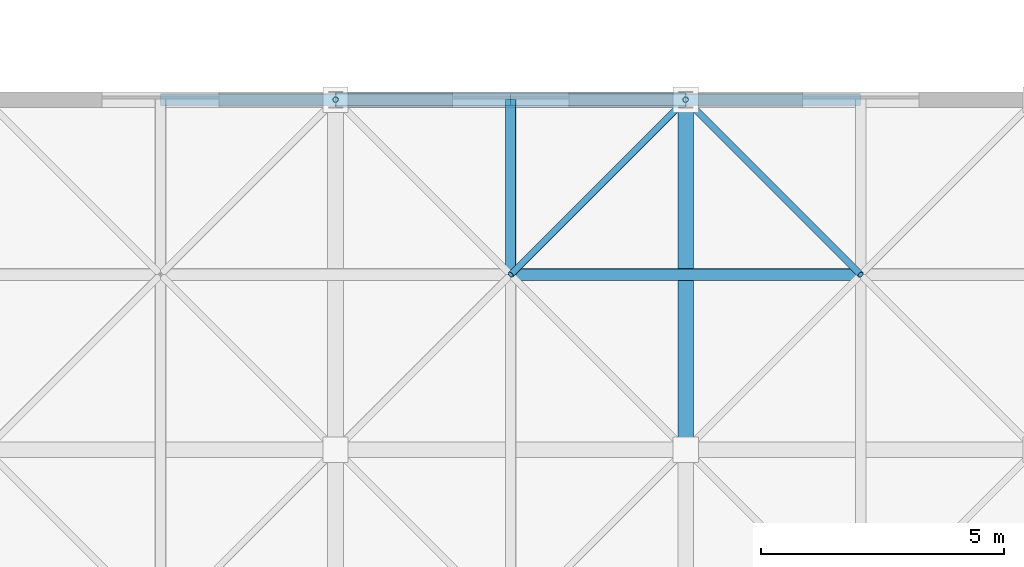
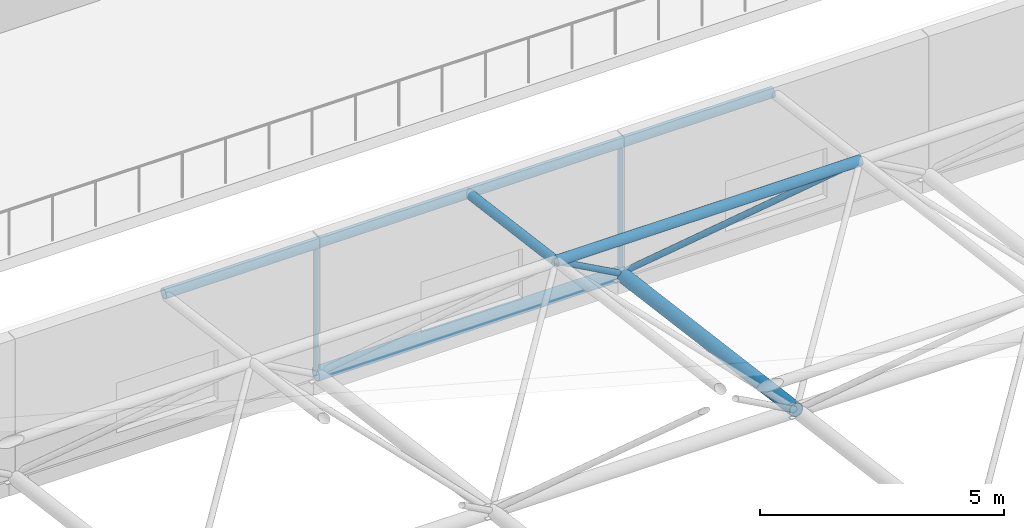
# One storey, part 59 of 103: 10 members.
"""IFC4 building model written with IfcOpenShell, lengths in metres."""

from ifc_helpers import new_model, si_unit, direction, frame, origin, origin_2d, place, context, subcontext, project, spatial, hollow_circle, extrude, material, material_profile, profile_set, type_object, element, save


model = new_model("IFC4")

# Units and contexts
model_context = context("Model", 3, precision=1e-05, world=origin(), true_north=direction((0.0, 1.0)))
body_context = subcontext(model_context, "Body", "Model", "MODEL_VIEW")
ifc_project = project(units=[si_unit("LENGTHUNIT", "METRE"), si_unit("AREAUNIT", "SQUARE_METRE"), si_unit("VOLUMEUNIT", "CUBIC_METRE"), si_unit("PLANEANGLEUNIT", "RADIAN"), si_unit("MASSUNIT", "GRAM", prefix="KILO")], contexts=[model_context])

# Site, building, storey
site_placement = place(None, origin())
site = spatial("IfcSite", under=ifc_project, at=site_placement, CompositionType="ELEMENT")
building_placement = place(site_placement, origin())
building = spatial("IfcBuilding", under=site, at=building_placement, Name="Thalmaran Polytechnic", CompositionType="ELEMENT")
storey_placement = place(building_placement, frame((0.0, 0.0, 14.39990234375)))
storey = spatial("IfcBuildingStorey", under=building, at=storey_placement, Name="L03", CompositionType="ELEMENT", Elevation=14.39990234375)

# Members
ifc_material = material(Name="Steel S355", Category="steel")
ifc_material_profile_1 = material_profile(ifc_material, hollow_circle(Radius=0.161865234375, WallThickness=0.012451171875, at=origin_2d()), Name="CHS 323.9x12.5")
ifc_profile_set_1 = profile_set([ifc_material_profile_1], Name="Steel S355")
member_type_1 = type_object("IfcMemberType", Name="MB-SFC0", PredefinedType="CHORD", material=ifc_profile_set_1)
member_1_placement = place(storey_placement, frame((144.0, 50.39990234375, 0.380126953125), z_axis=(1.0, 0.0, 0.0), x_axis=(0.0, 1.0, 0.0)))
element("IfcMember", 1, at=member_1_placement, inside=storey, type_object=member_type_1, Name="Space-Frame Bottom Chord X (5,8)", PredefinedType="CHORD", context=body_context, shape_type="SweptSolid", body=[
    extrude(hollow_circle(Radius=0.161865234375, WallThickness=0.012451171875, at=origin_2d()), origin(), (0.0, 0.0, 1.0), 7.199951171875),
])
ifc_material_profile_2 = material_profile(ifc_material, hollow_circle(Radius=0.122314453125, WallThickness=0.010009765625, at=origin_2d()), Name="CHS 244.5x10.0")
ifc_profile_set_2 = profile_set([ifc_material_profile_2], Name="Steel S355")
member_type_2 = type_object("IfcMemberType", Name="MB-SFC1", PredefinedType="CHORD", material=ifc_profile_set_2)
member_2_placement = place(storey_placement, frame((140.39990234375, 50.39990234375, 3.650146484375), z_axis=(1.0, 0.0, 0.0), x_axis=(0.0, 1.0, 0.0)))
element("IfcMember", 2, at=member_2_placement, inside=storey, type_object=member_type_2, Name="Space-Frame Top Chord X (5,9)", PredefinedType="CHORD", context=body_context, shape_type="SweptSolid", body=[
    extrude(hollow_circle(Radius=0.122314453125, WallThickness=0.010009765625, at=origin_2d()), origin(), (0.0, 0.0, 1.0), 7.2001953125),
])
for number, where, z_axis, x_axis, name in (
    (3, (147.60009765625, 46.800048828125, 4.1240234375), (1.0, 0.0, 0.0), (0.0, 1.0, 0.0), "Space-Frame Top Chord X (6,8)"),
    (4, (147.60009765625, 50.39990234375, 3.650146484375), (1.0, 0.0, 0.0), (0.0, 1.0, 0.0), "Space-Frame Top Chord X (6,9)"),
):
    element("IfcMember", number, at=place(storey_placement, frame(where, z_axis=z_axis, x_axis=x_axis)), inside=storey, type_object=member_type_2, Name=name, PredefinedType="CHORD", context=body_context, shape_type="SweptSolid", body=[
        extrude(hollow_circle(Radius=0.122314453125, WallThickness=0.010009765625, at=origin_2d()), origin(), (0.0, 0.0, 1.0), 7.199951171875),
    ])
ifc_material_profile_3 = material_profile(ifc_material, hollow_circle(Radius=0.109619140625, WallThickness=0.010009765625, at=origin_2d()), Name="CHS 219.1x10.0")
ifc_profile_set_3 = profile_set([ifc_material_profile_3], Name="Steel S355")
member_type_3 = type_object("IfcMemberType", Name="MB-SFC2", PredefinedType="CHORD", material=ifc_profile_set_3)
member_3_placement = place(storey_placement, frame((147.60009765625, 46.800048828125, 4.1240234375), z_axis=(0.0, 0.99144674145, -0.130511910828), x_axis=(-1.0, 0.0, 0.0)))
element("IfcMember", 5, at=member_3_placement, inside=storey, type_object=member_type_3, Name="Space-Frame Top Chord Y (6,8)", PredefinedType="CHORD", context=body_context, shape_type="SweptSolid", body=[
    extrude(hollow_circle(Radius=0.109619140625, WallThickness=0.010009765625, at=origin_2d()), origin(), (0.0, 0.0, 1.0), 3.630859375),
])
ifc_material_profile_4 = material_profile(ifc_material, hollow_circle(Radius=0.161865234375, WallThickness=0.012451171875, at=origin_2d()), Name="CHS 323.9x12.5")
ifc_profile_set_4 = profile_set([ifc_material_profile_4], Name="Steel S355")
member_type_4 = type_object("IfcMemberType", Name="MB-SFC4", PredefinedType="CHORD", material=ifc_profile_set_4)
member_4_placement = place(storey_placement, frame((151.199951171875, 43.199951171875, 1.327880859375), z_axis=(0.0, 0.991447314079, -0.130507560722), x_axis=(-1.0, 0.0, 0.0)))
element("IfcMember", 6, at=member_4_placement, inside=storey, type_object=member_type_4, Name="Space-Frame Bottom Chord Y (6,7)", PredefinedType="CHORD", context=body_context, shape_type="SweptSolid", body=[
    extrude(hollow_circle(Radius=0.161865234375, WallThickness=0.012451171875, at=origin_2d()), origin(), (0.0, 0.0, 1.0), 7.261962890625),
])
ifc_material_profile_5 = material_profile(ifc_material, hollow_circle(Radius=0.06982421875, WallThickness=0.008056640625, at=origin_2d()), Name="CHS 139.7x8.0")
ifc_profile_set_5 = profile_set([ifc_material_profile_5], Name="Steel S355")
member_type_5 = type_object("IfcMemberType", Name="MB-SFD2", PredefinedType="BRACE", material=ifc_profile_set_5)
member_5_placement = place(storey_placement, frame((151.199951171875, 50.39990234375, 0.380126953125), z_axis=(-0.569652331509, -0.569652331509, 0.592446151488), x_axis=(0.707106781187, -0.707106781187, 0.0)))
element("IfcMember", 7, at=member_5_placement, inside=storey, type_object=member_type_5, Name="Space-Frame Web Diagonal (5,7)-4", PredefinedType="BRACE", context=body_context, shape_type="SweptSolid", body=[
    extrude(hollow_circle(Radius=0.06982421875, WallThickness=0.008056640625, at=origin_2d()), origin(), (0.0, 0.0, 1.0), 6.3193359375),
])
member_6_placement = place(storey_placement, frame((151.199951171875, 50.39990234375, 0.380126953125), z_axis=(0.569678427494, -0.569639794751, 0.592433113089), x_axis=(0.707082803744, 0.707130757816, 0.0)))
element("IfcMember", 8, at=member_6_placement, inside=storey, type_object=member_type_5, Name="Space-Frame Web Diagonal (6,7)-3", PredefinedType="BRACE", context=body_context, shape_type="SweptSolid", body=[
    extrude(hollow_circle(Radius=0.06982421875, WallThickness=0.008056640625, at=origin_2d()), origin(), (0.0, 0.0, 1.0), 6.319580078125),
])
ifc_material_profile_6 = material_profile(ifc_material, hollow_circle(Radius=0.05712890625, WallThickness=0.00634765625, at=origin_2d()), Name="CHS 114.3x6.3")
ifc_profile_set_6 = profile_set([ifc_material_profile_6], Name="Steel S355")
member_type_6 = type_object("IfcMemberType", Name="MB-SFD3", PredefinedType="BRACE", material=ifc_profile_set_6)
for number, where, z_axis, x_axis, name in (
    (9, (144.0, 50.39990234375, 0.380126953125), (0.0, 0.0, 1.0), (1.0, 0.0, 0.0), "Space-Frame Eave Post (5,8)"),
    (10, (151.199951171875, 50.39990234375, 0.380126953125), (0.0, 0.0, 1.0), (1.0, 0.0, 0.0), "Space-Frame Eave Post (6,8)"),
):
    element("IfcMember", number, at=place(storey_placement, frame(where, z_axis=z_axis, x_axis=x_axis)), inside=storey, type_object=member_type_6, Name=name, PredefinedType="BRACE", context=body_context, shape_type="SweptSolid", body=[
        extrude(hollow_circle(Radius=0.05712890625, WallThickness=0.00634765625, at=origin_2d()), origin(), (0.0, 0.0, 1.0), 3.27001953125),
    ])

save(model, "model.ifc")
